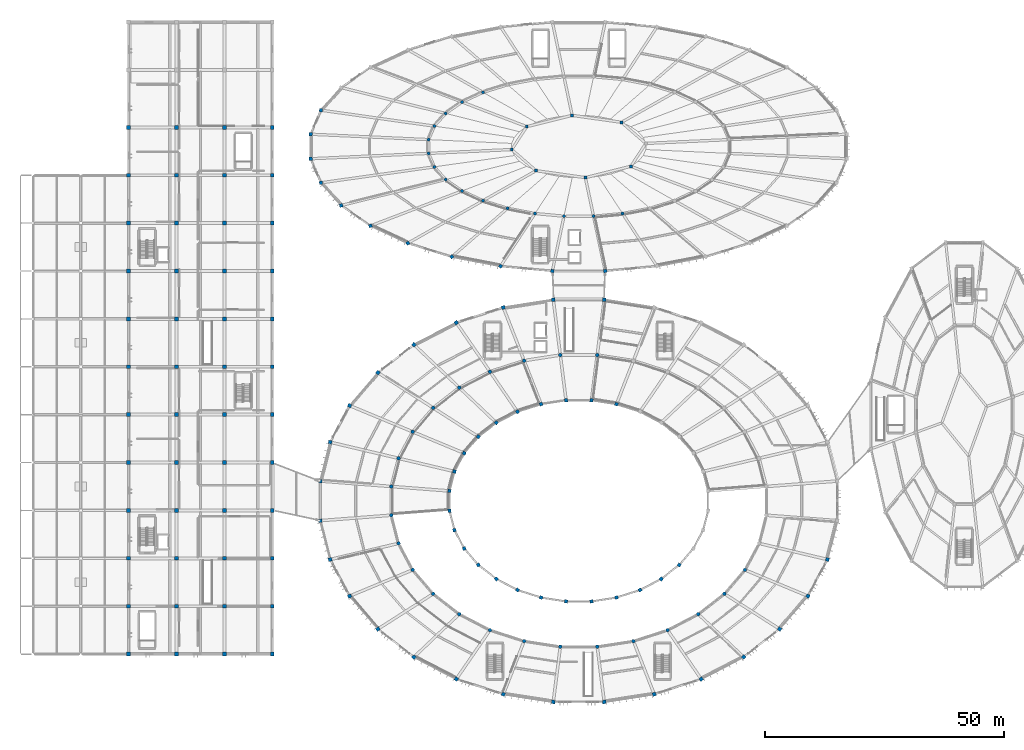
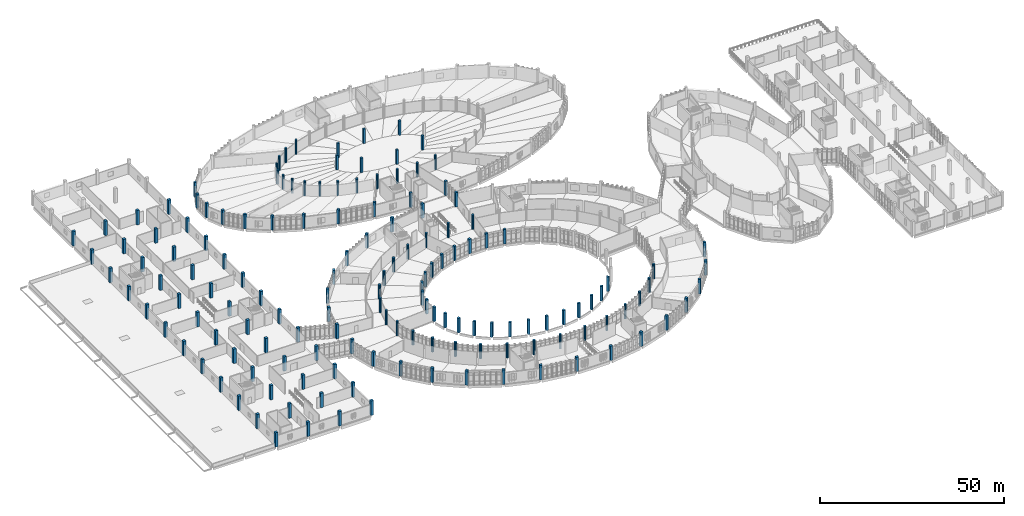
# One storey, part 1 of 179: 151 columns.
"""IFC4 building model written with IfcOpenShell, lengths in metres."""

from ifc_helpers import new_model, si_unit, direction, frame, origin, origin_2d, place, context, subcontext, project, spatial, rectangle, circle, extrude, material, material_profile, profile_set, type_object, element, save


model = new_model("IFC4")

# Units and contexts
model_context = context("Model", 3, precision=1e-05, world=origin(), true_north=direction((0.0, 1.0)))
body_context = subcontext(model_context, "Body", "Model", "MODEL_VIEW")
ifc_project = project(units=[si_unit("LENGTHUNIT", "METRE"), si_unit("AREAUNIT", "SQUARE_METRE"), si_unit("VOLUMEUNIT", "CUBIC_METRE"), si_unit("PLANEANGLEUNIT", "RADIAN"), si_unit("MASSUNIT", "GRAM", prefix="KILO")], contexts=[model_context])

# Site, building, storey
site_placement = place(None, origin())
site = spatial("IfcSite", under=ifc_project, at=site_placement, CompositionType="ELEMENT")
building_placement = place(site_placement, origin())
building = spatial("IfcBuilding", under=site, at=building_placement, Name="Corvandel Quay Wholesale Market", CompositionType="ELEMENT")
storey_placement = place(building_placement, frame((0.0, 0.0, 6.0)))
storey = spatial("IfcBuildingStorey", under=building, at=storey_placement, Name="L01", CompositionType="ELEMENT", Elevation=6.0)

# Columns
ifc_material = material(Name="Precast concrete C45/55", Category="concrete")
ifc_material_profile_1 = material_profile(ifc_material, circle(Radius=0.324951171875, at=origin_2d()), Name="PC-COL-D650")
ifc_profile_set_1 = profile_set([ifc_material_profile_1], Name="Precast concrete C45/55")
column_type_1 = type_object("IfcColumnType", Name="Circular Gallery Column C12 D650", PredefinedType="COLUMN", material=ifc_profile_set_1)
for number, where, z_axis, x_axis, name in (
    (1, (94.009033203125, 127.30908203125, 0.0), (0.0, 0.0, 1.0), (1.0, 0.0, 0.0), "Column COL-0374"),
    (2, (89.64111328125, 125.281005859375, 0.0), (0.0, 0.0, 1.0), (1.0, 0.0, 0.0), "Column COL-0378"),
    (3, (86.208984375, 122.89697265625, 0.0), (0.0, 0.0, 1.0), (1.0, 0.0, 0.0), "Column COL-0384"),
    (4, (83.844970703125, 120.2470703125, 0.0), (0.0, 0.0, 1.0), (1.0, 0.0, 0.0), "Column COL-0388"),
    (5, (82.639892578125, 117.43408203125, 0.0), (0.0, 0.0, 1.0), (1.0, 0.0, 0.0), "Column COL-0392"),
    (6, (82.639892578125, 114.56591796875, 0.0), (0.0, 0.0, 1.0), (1.0, 0.0, 0.0), "Column COL-0396"),
    (7, (83.844970703125, 111.7529296875, 0.0), (0.0, 0.0, 1.0), (1.0, 0.0, 0.0), "Column COL-0402"),
    (8, (86.208984375, 109.10302734375, 0.0), (0.0, 0.0, 1.0), (1.0, 0.0, 0.0), "Column COL-0406"),
    (9, (89.64111328125, 106.718994140625, 0.0), (0.0, 0.0, 1.0), (1.0, 0.0, 0.0), "Column COL-0410"),
    (10, (94.009033203125, 104.69091796875, 0.0), (0.0, 0.0, 1.0), (1.0, 0.0, 0.0), "Column COL-0414"),
    (11, (99.14501953125, 103.096923828125, 0.0), (0.0, 0.0, 1.0), (1.0, 0.0, 0.0), "Column COL-0421"),
    (12, (104.85302734375, 102.0, 0.0), (0.0, 0.0, 1.0), (1.0, 0.0, 0.0), "Column COL-0427"),
    (13, (110.910888671875, 101.43994140625, 0.0), (0.0, 0.0, 1.0), (1.0, 0.0, 0.0), "Column COL-0433"),
    (14, (117.089111328125, 101.43994140625, 0.0), (0.0, 0.0, 1.0), (1.0, 0.0, 0.0), "Column COL-0439"),
    (15, (123.14697265625, 102.0, 0.0), (0.0, 0.0, 1.0), (1.0, 0.0, 0.0), "Column COL-0447"),
):
    element("IfcColumn", number, at=place(storey_placement, frame(where, z_axis=z_axis, x_axis=x_axis)), inside=storey, type_object=column_type_1, Name=name, PredefinedType="COLUMN", context=body_context, shape_type="SweptSolid", body=[
        extrude(circle(Radius=0.324951171875, at=origin_2d()), origin(), (0.0, 0.0, 1.0), 4.800048828125),
    ])
ifc_material_profile_2 = material_profile(ifc_material, circle(Radius=0.375, at=origin_2d()), Name="PC-COL-D750")
ifc_profile_set_2 = profile_set([ifc_material_profile_2], Name="Precast concrete C45/55")
column_type_2 = type_object("IfcColumnType", Name="Circular Hall Column C11 D750", PredefinedType="COLUMN", material=ifc_profile_set_2)
for number, where, z_axis, x_axis, name in (
    (16, (117.85595703125, 72.449951171875, 0.0), (0.0, 0.0, 1.0), (1.0, 0.0, 0.0), "Column COL-0075"),
    (17, (110.14404296875, 72.449951171875, 0.0), (0.0, 0.0, 1.0), (1.0, 0.0, 0.0), "Column COL-0085"),
    (18, (102.580078125, 71.280029296875, 0.0), (0.0, 0.0, 1.0), (1.0, 0.0, 0.0), "Column COL-0095"),
    (19, (95.4560546875, 68.98388671875, 0.0), (0.0, 0.0, 1.0), (1.0, 0.0, 0.0), "Column COL-0105"),
    (20, (89.04296875, 65.652099609375, 0.0), (0.0, 0.0, 1.0), (1.0, 0.0, 0.0), "Column COL-0115"),
    (21, (83.590087890625, 61.410888671875, 0.0), (0.0, 0.0, 1.0), (1.0, 0.0, 0.0), "Column COL-0125"),
    (22, (79.305908203125, 56.423095703125, 0.0), (0.0, 0.0, 1.0), (1.0, 0.0, 0.0), "Column COL-0135"),
    (23, (76.35498046875, 50.882080078125, 0.0), (0.0, 0.0, 1.0), (1.0, 0.0, 0.0), "Column COL-0145"),
    (24, (74.85009765625, 44.9990234375, 0.0), (0.0, 0.0, 1.0), (1.0, 0.0, 0.0), "Column COL-0155"),
    (25, (74.85009765625, 39.0009765625, 0.0), (0.0, 0.0, 1.0), (1.0, 0.0, 0.0), "Column COL-0165"),
    (26, (76.35498046875, 33.117919921875, 0.0), (0.0, 0.0, 1.0), (1.0, 0.0, 0.0), "Column COL-0175"),
    (27, (79.305908203125, 27.576904296875, 0.0), (0.0, 0.0, 1.0), (1.0, 0.0, 0.0), "Column COL-0185"),
    (28, (83.590087890625, 22.589111328125, 0.0), (0.0, 0.0, 1.0), (1.0, 0.0, 0.0), "Column COL-0195"),
    (29, (89.04296875, 18.347900390625, 0.0), (0.0, 0.0, 1.0), (1.0, 0.0, 0.0), "Column COL-0205"),
    (30, (95.4560546875, 15.01611328125, 0.0), (0.0, 0.0, 1.0), (1.0, 0.0, 0.0), "Column COL-0215"),
    (31, (102.580078125, 12.719970703125, 0.0), (0.0, 0.0, 1.0), (1.0, 0.0, 0.0), "Column COL-0225"),
    (32, (110.14404296875, 11.550048828125, 0.0), (0.0, 0.0, 1.0), (1.0, 0.0, 0.0), "Column COL-0235"),
    (33, (117.85595703125, 11.550048828125, 0.0), (0.0, 0.0, 1.0), (1.0, 0.0, 0.0), "Column COL-0245"),
    (34, (125.419921875, 12.719970703125, 0.0), (0.0, 0.0, 1.0), (1.0, 0.0, 0.0), "Column COL-0255"),
    (35, (132.5439453125, 15.01611328125, 0.0), (0.0, 0.0, 1.0), (1.0, 0.0, 0.0), "Column COL-0265"),
    (36, (138.95703125, 18.347900390625, 0.0), (0.0, 0.0, 1.0), (1.0, 0.0, 0.0), "Column COL-0275"),
    (37, (144.409912109375, 22.589111328125, 0.0), (0.0, 0.0, 1.0), (1.0, 0.0, 0.0), "Column COL-0285"),
    (38, (148.694091796875, 27.576904296875, 0.0), (0.0, 0.0, 1.0), (1.0, 0.0, 0.0), "Column COL-0295"),
):
    element("IfcColumn", number, at=place(storey_placement, frame(where, z_axis=z_axis, x_axis=x_axis)), inside=storey, type_object=column_type_2, Name=name, PredefinedType="COLUMN", context=body_context, shape_type="SweptSolid", body=[
        extrude(circle(Radius=0.375, at=origin_2d()), origin(), (0.0, 0.0, 1.0), 4.800048828125),
    ])
ifc_material_profile_3 = material_profile(ifc_material, rectangle(XDim=0.800048828125, YDim=0.800048828125, at=origin_2d()), Name="PC-COL-800x800")
ifc_profile_set_3 = profile_set([ifc_material_profile_3], Name="Precast concrete C45/55")
column_type_3 = type_object("IfcColumnType", Name="Precast Column C02 800x800", PredefinedType="COLUMN", material=ifc_profile_set_3)
for number, where, z_axis, x_axis, name in (
    (39, (20.0, 10.0, 0.0), (0.0, 0.0, 1.0), (1.0, 0.0, 0.0), "Column COL-0612"),
    (40, (20.0, 20.0, 0.0), (0.0, 0.0, 1.0), (1.0, 0.0, 0.0), "Column COL-0615"),
    (41, (20.0, 30.0, 0.0), (0.0, 0.0, 1.0), (1.0, 0.0, 0.0), "Column COL-0618"),
    (42, (20.0, 40.0, 0.0), (0.0, 0.0, 1.0), (1.0, 0.0, 0.0), "Column COL-0621"),
    (43, (20.0, 50.0, 0.0), (0.0, 0.0, 1.0), (1.0, 0.0, 0.0), "Column COL-0624"),
    (44, (20.0, 60.0, 0.0), (0.0, 0.0, 1.0), (1.0, 0.0, 0.0), "Column COL-0627"),
    (45, (20.0, 70.0, 0.0), (0.0, 0.0, 1.0), (1.0, 0.0, 0.0), "Column COL-0630"),
    (46, (20.0, 80.0, 0.0), (0.0, 0.0, 1.0), (1.0, 0.0, 0.0), "Column COL-0633"),
    (47, (20.0, 90.0, 0.0), (0.0, 0.0, 1.0), (1.0, 0.0, 0.0), "Column COL-0636"),
    (48, (20.0, 100.0, 0.0), (0.0, 0.0, 1.0), (1.0, 0.0, 0.0), "Column COL-0639"),
    (49, (20.0, 110.0, 0.0), (0.0, 0.0, 1.0), (1.0, 0.0, 0.0), "Column COL-0642"),
    (50, (20.0, 120.0, 0.0), (0.0, 0.0, 1.0), (1.0, 0.0, 0.0), "Column COL-0645"),
    (51, (30.0, 10.0, 0.0), (0.0, 0.0, 1.0), (1.0, 0.0, 0.0), "Column COL-0652"),
    (52, (30.0, 20.0, 0.0), (0.0, 0.0, 1.0), (1.0, 0.0, 0.0), "Column COL-0655"),
    (53, (30.0, 30.0, 0.0), (0.0, 0.0, 1.0), (1.0, 0.0, 0.0), "Column COL-0658"),
    (54, (30.0, 40.0, 0.0), (0.0, 0.0, 1.0), (1.0, 0.0, 0.0), "Column COL-0661"),
    (55, (30.0, 50.0, 0.0), (0.0, 0.0, 1.0), (1.0, 0.0, 0.0), "Column COL-0664"),
    (56, (30.0, 60.0, 0.0), (0.0, 0.0, 1.0), (1.0, 0.0, 0.0), "Column COL-0667"),
    (57, (30.0, 70.0, 0.0), (0.0, 0.0, 1.0), (1.0, 0.0, 0.0), "Column COL-0670"),
    (58, (30.0, 80.0, 0.0), (0.0, 0.0, 1.0), (1.0, 0.0, 0.0), "Column COL-0673"),
    (59, (30.0, 90.0, 0.0), (0.0, 0.0, 1.0), (1.0, 0.0, 0.0), "Column COL-0676"),
    (60, (30.0, 100.0, 0.0), (0.0, 0.0, 1.0), (1.0, 0.0, 0.0), "Column COL-0679"),
    (61, (30.0, 110.0, 0.0), (0.0, 0.0, 1.0), (1.0, 0.0, 0.0), "Column COL-0682"),
    (62, (30.0, 120.0, 0.0), (0.0, 0.0, 1.0), (1.0, 0.0, 0.0), "Column COL-0685"),
    (63, (40.0, 10.0, 0.0), (0.0, 0.0, 1.0), (1.0, 0.0, 0.0), "Column COL-0692"),
    (64, (40.0, 20.0, 0.0), (0.0, 0.0, 1.0), (1.0, 0.0, 0.0), "Column COL-0695"),
    (65, (40.0, 30.0, 0.0), (0.0, 0.0, 1.0), (1.0, 0.0, 0.0), "Column COL-0698"),
    (66, (40.0, 40.0, 0.0), (0.0, 0.0, 1.0), (1.0, 0.0, 0.0), "Column COL-0701"),
    (67, (40.0, 50.0, 0.0), (0.0, 0.0, 1.0), (1.0, 0.0, 0.0), "Column COL-0704"),
    (68, (40.0, 60.0, 0.0), (0.0, 0.0, 1.0), (1.0, 0.0, 0.0), "Column COL-0707"),
    (69, (40.0, 70.0, 0.0), (0.0, 0.0, 1.0), (1.0, 0.0, 0.0), "Column COL-0710"),
    (70, (40.0, 80.0, 0.0), (0.0, 0.0, 1.0), (1.0, 0.0, 0.0), "Column COL-0713"),
    (71, (40.0, 90.0, 0.0), (0.0, 0.0, 1.0), (1.0, 0.0, 0.0), "Column COL-0716"),
    (72, (40.0, 100.0, 0.0), (0.0, 0.0, 1.0), (1.0, 0.0, 0.0), "Column COL-0719"),
    (73, (40.0, 110.0, 0.0), (0.0, 0.0, 1.0), (1.0, 0.0, 0.0), "Column COL-0722"),
    (74, (40.0, 120.0, 0.0), (0.0, 0.0, 1.0), (1.0, 0.0, 0.0), "Column COL-0725"),
    (75, (50.0, 10.0, 0.0), (0.0, 0.0, 1.0), (1.0, 0.0, 0.0), "Column COL-0732"),
    (76, (50.0, 20.0, 0.0), (0.0, 0.0, 1.0), (1.0, 0.0, 0.0), "Column COL-0735"),
    (77, (50.0, 30.0, 0.0), (0.0, 0.0, 1.0), (1.0, 0.0, 0.0), "Column COL-0738"),
    (78, (50.0, 40.0, 0.0), (0.0, 0.0, 1.0), (1.0, 0.0, 0.0), "Column COL-0741"),
    (79, (50.0, 50.0, 0.0), (0.0, 0.0, 1.0), (1.0, 0.0, 0.0), "Column COL-0744"),
    (80, (50.0, 60.0, 0.0), (0.0, 0.0, 1.0), (1.0, 0.0, 0.0), "Column COL-0747"),
    (81, (50.0, 70.0, 0.0), (0.0, 0.0, 1.0), (1.0, 0.0, 0.0), "Column COL-0750"),
    (82, (50.0, 80.0, 0.0), (0.0, 0.0, 1.0), (1.0, 0.0, 0.0), "Column COL-0753"),
    (83, (50.0, 90.0, 0.0), (0.0, 0.0, 1.0), (1.0, 0.0, 0.0), "Column COL-0756"),
    (84, (50.0, 100.0, 0.0), (0.0, 0.0, 1.0), (1.0, 0.0, 0.0), "Column COL-0759"),
    (85, (50.0, 110.0, 0.0), (0.0, 0.0, 1.0), (1.0, 0.0, 0.0), "Column COL-0762"),
    (86, (50.0, 120.0, 0.0), (0.0, 0.0, 1.0), (1.0, 0.0, 0.0), "Column COL-0765"),
):
    element("IfcColumn", number, at=place(storey_placement, frame(where, z_axis=z_axis, x_axis=x_axis)), inside=storey, type_object=column_type_3, Name=name, PredefinedType="COLUMN", context=body_context, shape_type="SweptSolid", body=[
        extrude(rectangle(XDim=0.800048828125, YDim=0.800048828125, at=origin_2d()), origin(), (0.0, 0.0, 1.0), 4.800048828125),
    ])
ifc_material_profile_4 = material_profile(ifc_material, rectangle(XDim=0.75, YDim=0.75, at=origin_2d()), Name="PC-COL-750x750")
ifc_profile_set_4 = profile_set([ifc_material_profile_4], Name="Precast concrete C45/55")
column_type_4 = type_object("IfcColumnType", Name="Precast Column C03 750x750", PredefinedType="COLUMN", material=ifc_profile_set_4)
for number, where, z_axis, x_axis, name in (
    (87, (119.319091796875, 84.0, 0.0), (0.0, 0.0, 1.0), (-0.992070891321, 0.125679539283, 0.0), "Column COL-0072"),
    (88, (108.680908203125, 84.0, 0.0), (0.0, 0.0, 1.0), (0.992070891321, 0.125679539283, 0.0), "Column COL-0082"),
    (89, (98.2490234375, 82.385986328125, 0.0), (0.0, 0.0, 1.0), (0.931627814096, 0.363413835735, 0.0), "Column COL-0092"),
    (90, (88.4208984375, 79.219970703125, 0.0), (0.0, 0.0, 1.0), (0.824126188622, 0.566406236925, 0.0), "Column COL-0102"),
    (91, (79.576904296875, 74.6240234375, 0.0), (0.0, 0.0, 1.0), (0.687848001144, 0.725854756355, 0.0), "Column COL-0112"),
    (92, (72.054931640625, 68.77294921875, 0.0), (0.0, 0.0, 1.0), (0.538035401546, 0.842922242371, 0.0), "Column COL-0122"),
    (93, (66.14599609375, 61.89404296875, 0.0), (0.0, 0.0, 1.0), (0.383811878264, 0.923411307113, 0.0), "Column COL-0132"),
    (94, (62.074951171875, 54.2509765625, 0.0), (0.0, 0.0, 1.0), (0.229710019669, 0.973259115993, 0.0), "Column COL-0142"),
    (95, (60.0, 46.136962890625, 0.0), (0.0, 0.0, 1.0), (0.076370986393, 0.997079471475, 0.0), "Column COL-0152"),
    (96, (60.0, 37.863037109375, 0.0), (0.0, 0.0, 1.0), (-0.076370986393, 0.997079471475, 0.0), "Column COL-0162"),
    (97, (62.074951171875, 29.7490234375, 0.0), (0.0, 0.0, 1.0), (-0.229710019669, 0.973259115993, 0.0), "Column COL-0172"),
    (98, (66.14599609375, 22.10595703125, 0.0), (0.0, 0.0, 1.0), (-0.383811878264, 0.923411307113, 0.0), "Column COL-0182"),
    (99, (72.054931640625, 15.22705078125, 0.0), (0.0, 0.0, 1.0), (-0.538035401546, 0.842922242371, 0.0), "Column COL-0192"),
    (100, (79.576904296875, 9.3759765625, 0.0), (0.0, 0.0, 1.0), (-0.687848001144, 0.725854756355, 0.0), "Column COL-0202"),
    (101, (88.4208984375, 4.780029296875, 0.0), (0.0, 0.0, 1.0), (-0.824126188622, 0.566406236925, 0.0), "Column COL-0212"),
    (102, (98.2490234375, 1.614013671875, 0.0), (0.0, 0.0, 1.0), (-0.931627814096, 0.363413835735, 0.0), "Column COL-0222"),
    (103, (108.680908203125, 0.0, 0.0), (0.0, 0.0, 1.0), (-0.992070891321, 0.125679539283, 0.0), "Column COL-0232"),
    (104, (119.319091796875, 0.0, 0.0), (0.0, 0.0, 1.0), (0.992070891321, 0.125679539283, 0.0), "Column COL-0242"),
    (105, (129.7509765625, 1.614013671875, 0.0), (0.0, 0.0, 1.0), (0.931627814096, 0.363413835735, 0.0), "Column COL-0252"),
    (106, (139.5791015625, 4.780029296875, 0.0), (0.0, 0.0, 1.0), (0.824126188622, 0.566406236925, 0.0), "Column COL-0262"),
    (107, (148.423095703125, 9.3759765625, 0.0), (0.0, 0.0, 1.0), (0.687848001144, 0.725854756355, 0.0), "Column COL-0272"),
    (108, (155.945068359375, 15.22705078125, 0.0), (0.0, 0.0, 1.0), (0.538035401546, 0.842922242371, 0.0), "Column COL-0282"),
    (109, (161.85400390625, 22.10595703125, 0.0), (0.0, 0.0, 1.0), (0.383811878264, 0.923411307113, 0.0), "Column COL-0292"),
    (110, (165.925048828125, 29.7490234375, 0.0), (0.0, 0.0, 1.0), (0.229710019669, 0.973259115993, 0.0), "Column COL-0302"),
):
    element("IfcColumn", number, at=place(storey_placement, frame(where, z_axis=z_axis, x_axis=x_axis)), inside=storey, type_object=column_type_4, Name=name, PredefinedType="COLUMN", context=body_context, shape_type="SweptSolid", body=[
        extrude(rectangle(XDim=0.75, YDim=0.75, at=origin_2d()), origin(), (0.0, 0.0, 1.0), 4.800048828125),
    ])
ifc_material_profile_5 = material_profile(ifc_material, rectangle(XDim=0.699951171875, YDim=0.699951171875, at=origin_2d()), Name="PC-COL-700x700")
ifc_profile_set_5 = profile_set([ifc_material_profile_5], Name="Precast concrete C45/55")
column_type_5 = type_object("IfcColumnType", Name="Precast Column C04 700x700", PredefinedType="COLUMN", material=ifc_profile_set_5)
for number, where, z_axis, x_axis, name in (
    (111, (121.8759765625, 62.193115234375, 0.0), (0.0, 0.0, 1.0), (-0.931627814096, 0.363413835735, 0.0), "Column COL-0069"),
    (112, (116.658935546875, 63.0, 0.0), (0.0, 0.0, 1.0), (-0.992070891321, 0.125679539283, 0.0), "Column COL-0079"),
    (113, (111.341064453125, 63.0, 0.0), (0.0, 0.0, 1.0), (0.992070891321, 0.125679539283, 0.0), "Column COL-0089"),
    (114, (106.1240234375, 62.193115234375, 0.0), (0.0, 0.0, 1.0), (0.931627814096, 0.363413835735, 0.0), "Column COL-0099"),
    (115, (101.2109375, 60.610107421875, 0.0), (0.0, 0.0, 1.0), (0.824126188622, 0.566406236925, 0.0), "Column COL-0109"),
    (116, (96.7890625, 58.31201171875, 0.0), (0.0, 0.0, 1.0), (0.687848001144, 0.725854756355, 0.0), "Column COL-0119"),
    (117, (93.028076171875, 55.386962890625, 0.0), (0.0, 0.0, 1.0), (0.538035401546, 0.842922242371, 0.0), "Column COL-0129"),
    (118, (90.072998046875, 51.947021484375, 0.0), (0.0, 0.0, 1.0), (0.383811878264, 0.923411307113, 0.0), "Column COL-0139"),
    (119, (88.0380859375, 48.125, 0.0), (0.0, 0.0, 1.0), (0.229710019669, 0.973259115993, 0.0), "Column COL-0149"),
    (120, (87.0, 44.068115234375, 0.0), (0.0, 0.0, 1.0), (0.076370986393, 0.997079471475, 0.0), "Column COL-0159"),
    (121, (87.0, 39.931884765625, 0.0), (0.0, 0.0, 1.0), (-0.076370986393, 0.997079471475, 0.0), "Column COL-0169"),
    (122, (88.0380859375, 35.875, 0.0), (0.0, 0.0, 1.0), (-0.229710019669, 0.973259115993, 0.0), "Column COL-0179"),
    (123, (90.072998046875, 32.052978515625, 0.0), (0.0, 0.0, 1.0), (-0.383811878264, 0.923411307113, 0.0), "Column COL-0189"),
    (124, (93.028076171875, 28.613037109375, 0.0), (0.0, 0.0, 1.0), (-0.538035401546, 0.842922242371, 0.0), "Column COL-0199"),
    (125, (96.7890625, 25.68798828125, 0.0), (0.0, 0.0, 1.0), (-0.687848001144, 0.725854756355, 0.0), "Column COL-0209"),
    (126, (101.2109375, 23.389892578125, 0.0), (0.0, 0.0, 1.0), (-0.824126188622, 0.566406236925, 0.0), "Column COL-0219"),
    (127, (106.1240234375, 21.806884765625, 0.0), (0.0, 0.0, 1.0), (-0.931627814096, 0.363413835735, 0.0), "Column COL-0229"),
    (128, (111.341064453125, 21.0, 0.0), (0.0, 0.0, 1.0), (-0.992070891321, 0.125679539283, 0.0), "Column COL-0239"),
    (129, (116.658935546875, 21.0, 0.0), (0.0, 0.0, 1.0), (0.992070891321, 0.125679539283, 0.0), "Column COL-0249"),
    (130, (121.8759765625, 21.806884765625, 0.0), (0.0, 0.0, 1.0), (0.931627814096, 0.363413835735, 0.0), "Column COL-0259"),
    (131, (126.7890625, 23.389892578125, 0.0), (0.0, 0.0, 1.0), (0.824126188622, 0.566406236925, 0.0), "Column COL-0269"),
    (132, (131.2109375, 25.68798828125, 0.0), (0.0, 0.0, 1.0), (0.687848001144, 0.725854756355, 0.0), "Column COL-0279"),
    (133, (134.971923828125, 28.613037109375, 0.0), (0.0, 0.0, 1.0), (0.538035401546, 0.842922242371, 0.0), "Column COL-0289"),
    (134, (60.152099609375, 123.583984375, 0.0), (0.0, 0.0, 1.0), (0.13951876124, 0.990219427835, 0.0), "Column COL-0386"),
    (135, (58.0, 118.56103515625, 0.0), (0.0, 0.0, 1.0), (0.04571169187, 0.99895467426, 0.0), "Column COL-0390"),
    (136, (58.0, 113.43896484375, 0.0), (0.0, 0.0, 1.0), (-0.04571169187, 0.99895467426, 0.0), "Column COL-0394"),
    (137, (60.152099609375, 108.416015625, 0.0), (0.0, 0.0, 1.0), (-0.13951876124, 0.990219427835, 0.0), "Column COL-0400"),
    (138, (64.373046875, 103.68408203125, 0.0), (0.0, 0.0, 1.0), (-0.240905671828, 0.970548534222, 0.0), "Column COL-0404"),
    (139, (70.501953125, 99.426025390625, 0.0), (0.0, 0.0, 1.0), (-0.356085714679, 0.934453296747, 0.0), "Column COL-0408"),
    (140, (78.302001953125, 95.803955078125, 0.0), (0.0, 0.0, 1.0), (-0.492423560103, 0.87035569594, 0.0), "Column COL-0412"),
    (141, (87.47412109375, 92.958984375, 0.0), (0.0, 0.0, 1.0), (-0.655795545685, 0.754938542041, 0.0), "Column COL-0418"),
    (142, (97.6650390625, 90.9990234375, 0.0), (0.0, 0.0, 1.0), (-0.837146380758, 0.546978918409, 0.0), "Column COL-0424"),
    (143, (108.48388671875, 90.0, 0.0), (0.0, 0.0, 1.0), (-0.978220116011, 0.207570240234, 0.0), "Column COL-0430"),
    (144, (119.51611328125, 90.0, 0.0), (0.0, 0.0, 1.0), (0.978220116011, 0.207570240234, 0.0), "Column COL-0436"),
):
    element("IfcColumn", number, at=place(storey_placement, frame(where, z_axis=z_axis, x_axis=x_axis)), inside=storey, type_object=column_type_5, Name=name, PredefinedType="COLUMN", context=body_context, shape_type="SweptSolid", body=[
        extrude(rectangle(XDim=0.699951171875, YDim=0.699951171875, at=origin_2d()), origin(), (0.0, 0.0, 1.0), 4.800048828125),
    ])
ifc_material_profile_6 = material_profile(ifc_material, rectangle(XDim=0.60009765625, YDim=0.60009765625, at=origin_2d()), Name="PC-COL-600x600")
ifc_profile_set_6 = profile_set([ifc_material_profile_6], Name="Precast concrete C45/55")
column_type_6 = type_object("IfcColumnType", Name="Precast Column C06 600x600", PredefinedType="COLUMN", material=ifc_profile_set_6)
for number, where, z_axis, x_axis, name in (
    (145, (122.924072265625, 121.049072265625, 0.0), (0.0, 0.0, 1.0), (1.0, 0.0, 0.0), "Column COL-0344"),
    (146, (112.62109375, 122.5, 0.0), (0.0, 0.0, 1.0), (1.0, 0.0, 0.0), "Column COL-0362"),
    (147, (103.125, 120.14404296875, 0.0), (0.0, 0.0, 1.0), (1.0, 0.0, 0.0), "Column COL-0380"),
    (148, (100.0, 115.360107421875, 0.0), (0.0, 0.0, 1.0), (1.0, 0.0, 0.0), "Column COL-0398"),
    (149, (105.075927734375, 110.950927734375, 0.0), (0.0, 0.0, 1.0), (1.0, 0.0, 0.0), "Column COL-0416"),
    (150, (115.37890625, 109.5, 0.0), (0.0, 0.0, 1.0), (1.0, 0.0, 0.0), "Column COL-0442"),
    (151, (124.875, 111.85595703125, 0.0), (0.0, 0.0, 1.0), (1.0, 0.0, 0.0), "Column COL-0466"),
):
    element("IfcColumn", number, at=place(storey_placement, frame(where, z_axis=z_axis, x_axis=x_axis)), inside=storey, type_object=column_type_6, Name=name, PredefinedType="COLUMN", context=body_context, shape_type="SweptSolid", body=[
        extrude(rectangle(XDim=0.60009765625, YDim=0.60009765625, at=origin_2d()), origin(), (0.0, 0.0, 1.0), 4.800048828125),
    ])

save(model, "model.ifc")
